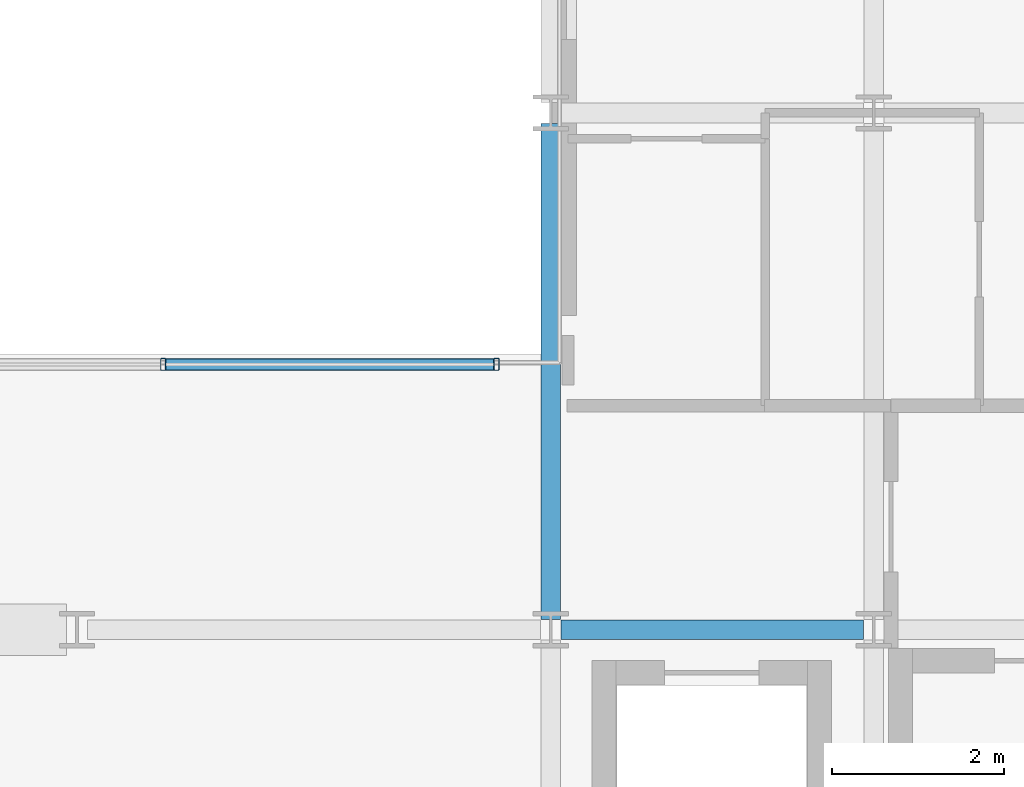
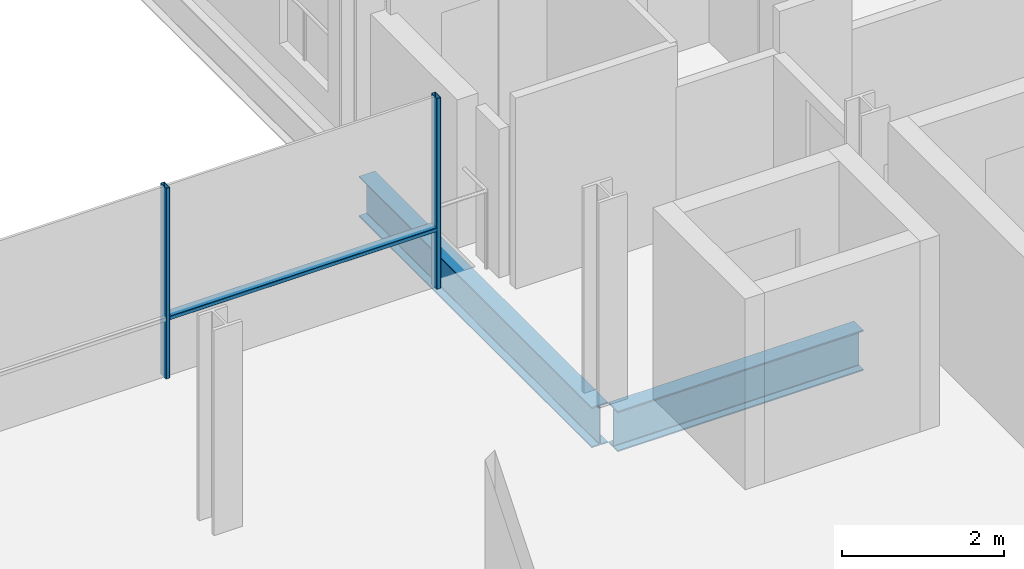
# One storey, part 13 of 39: 3 members, 2 beams, 1 element without a shape of its own.
"""IFC4 building model written with IfcOpenShell, lengths in metres."""

from ifc_helpers import new_model, si_unit, direction, frame, origin, origin_2d, place, context, subcontext, project, spatial, hollow_rectangle, i_section, extrude, material, layer, layer_set, material_profile, profile_set, type_object, element, aggregate, save


model = new_model("IFC4")

# Units and contexts
model_context = context("Model", 3, precision=1e-05, world=origin(), true_north=direction((0.0, 1.0)))
body_context = subcontext(model_context, "Body", "Model", "MODEL_VIEW")
ifc_project = project(units=[si_unit("LENGTHUNIT", "METRE"), si_unit("AREAUNIT", "SQUARE_METRE"), si_unit("VOLUMEUNIT", "CUBIC_METRE"), si_unit("PLANEANGLEUNIT", "RADIAN"), si_unit("MASSUNIT", "GRAM", prefix="KILO")], contexts=[model_context])

# Site, building, storey
site_placement = place(None, origin())
site = spatial("IfcSite", under=ifc_project, at=site_placement, CompositionType="ELEMENT")
building_placement = place(site_placement, origin())
building = spatial("IfcBuilding", under=site, at=building_placement, Name="Brevholm Reach", CompositionType="ELEMENT")
storey_placement = place(building_placement, frame((0.0, 0.0, 103.5)))
storey = spatial("IfcBuildingStorey", under=building, at=storey_placement, Name="L30", CompositionType="ELEMENT", Elevation=103.5)

# Beams
ifc_material_1 = material(Name="Structural Steel S355J2", Category="steel")
ifc_material_profile_1 = material_profile(ifc_material_1, i_section(OverallWidth=0.22900390625, OverallDepth=0.6123046875, WebThickness=0.011962890625, FlangeThickness=0.01953125, FilletRadius=0.0126953125, at=origin_2d()), Name="UKB 610x229x125")
ifc_profile_set_1 = profile_set([ifc_material_profile_1], Name="Structural Steel S355J2")
beam_type = type_object("IfcBeamType", Name="BM-SP610", PredefinedType="SPANDREL", material=ifc_profile_set_1)
beam_1_placement = place(storey_placement, frame((38.3701171875, 10.0, -0.526123046875), z_axis=(1.0, 0.0, 0.0), x_axis=(0.0, 1.0, 0.0)))
element("IfcBeam", 1, at=beam_1_placement, inside=storey, type_object=beam_type, Name="L30 SP-01 Framing Beam", PredefinedType="SPANDREL", context=body_context, shape_type="SweptSolid", body=[
    extrude(i_section(OverallWidth=0.22900390625, OverallDepth=0.6123046875, WebThickness=0.011962890625, FlangeThickness=0.01953125, FilletRadius=0.0126953125, at=origin_2d()), origin(), (0.0, 0.0, 1.0), 3.509765625),
])
beam_2_placement = place(storey_placement, frame((38.25, 10.1201171875, -0.526123046875), z_axis=(0.0, 1.0, 0.0), x_axis=(-1.0, 0.0, 0.0)))
element("IfcBeam", 2, at=beam_2_placement, inside=storey, type_object=beam_type, Name="L30 SP-01 Framing Beam", PredefinedType="SPANDREL", context=body_context, shape_type="SweptSolid", body=[
    extrude(i_section(OverallWidth=0.22900390625, OverallDepth=0.6123046875, WebThickness=0.011962890625, FlangeThickness=0.01953125, FilletRadius=0.0126953125, at=origin_2d()), origin(), (0.0, 0.0, 1.0), 5.759765625),
])

# Curtain wall, members
ifc_material_2 = material(Name="Dark Anodised Aluminium 6063-T6 and Solar-Control Glass", Category="aluminium")
ifc_layer = layer(ifc_material_2, 0.139892578125)
ifc_layer_set = layer_set([ifc_layer], Name="Dark Anodised Aluminium 6063-T6 and Solar-Control Glass")
curtain_wall_type = type_object("IfcCurtainWallType", Name="CW-02", PredefinedType="NOTDEFINED", material=ifc_layer_set)
curtain_wall_placement = place(storey_placement, origin())
curtain_wall = element("IfcCurtainWall", 3, at=curtain_wall_placement, inside=storey, type_object=curtain_wall_type, Name="L30 Curtain Wall CW-02", PredefinedType="NOTDEFINED")
ifc_material_3 = material(Name="Dark Anodised Aluminium 6063-T6", Category="aluminium")
ifc_material_profile_2 = material_profile(ifc_material_3, hollow_rectangle(XDim=0.06005859375, YDim=0.139892578125, WallThickness=0.0048828125, InnerFilletRadius=0.0048828125, OuterFilletRadius=0.010009765625, at=origin_2d()), Name="RHS 140x60x5")
ifc_profile_set_2 = profile_set([ifc_material_profile_2], Name="Dark Anodised Aluminium 6063-T6")
member_type_1 = type_object("IfcMemberType", Name="CWM-140", PredefinedType="MULLION", material=ifc_profile_set_2)
member_1_placement = place(storey_placement, frame((33.75, 13.080078125, 0.0), z_axis=(0.0, 0.0, 1.0), x_axis=(1.0, 0.0, 0.0)))
member_1 = element("IfcMember", 4, at=member_1_placement, type_object=member_type_1, Name="CM-140 Mullion 4", PredefinedType="MULLION", context=body_context, shape_type="SweptSolid", body=[
    extrude(hollow_rectangle(XDim=0.06005859375, YDim=0.139892578125, WallThickness=0.0048828125, InnerFilletRadius=0.0048828125, OuterFilletRadius=0.010009765625, at=origin_2d()), origin(), (0.0, 0.0, 1.0), 2.8798828125),
])
member_2_placement = place(storey_placement, frame((37.6201171875, 13.080078125, 0.0), z_axis=(0.0, 0.0, 1.0), x_axis=(1.0, 0.0, 0.0)))
member_2 = element("IfcMember", 5, at=member_2_placement, type_object=member_type_1, Name="CM-140 Mullion 5", PredefinedType="MULLION", context=body_context, shape_type="SweptSolid", body=[
    extrude(hollow_rectangle(XDim=0.06005859375, YDim=0.139892578125, WallThickness=0.0048828125, InnerFilletRadius=0.0048828125, OuterFilletRadius=0.010009765625, at=origin_2d()), origin(), (0.0, 0.0, 1.0), 2.8798828125),
])
ifc_material_4 = material(Name="Dark Anodised Aluminium 6063-T6", Category="aluminium")
ifc_material_profile_3 = material_profile(ifc_material_4, hollow_rectangle(XDim=0.06005859375, YDim=0.139892578125, WallThickness=0.0048828125, InnerFilletRadius=0.0048828125, OuterFilletRadius=0.010009765625, at=origin_2d()), Name="RHS 140x60x5")
ifc_profile_set_3 = profile_set([ifc_material_profile_3], Name="Dark Anodised Aluminium 6063-T6")
member_type_2 = type_object("IfcMemberType", Name="CWT-140", PredefinedType="NOTDEFINED", material=ifc_profile_set_3)
member_3_placement = place(storey_placement, frame((33.780029296875, 13.080078125, 0.89990234375), z_axis=(1.0, 0.0, 0.0), x_axis=(0.0, 0.0, 1.0)))
member_3 = element("IfcMember", 6, at=member_3_placement, type_object=member_type_2, Name="CT-140 Transom 4.1", ObjectType="TRANSOM", PredefinedType="USERDEFINED", context=body_context, shape_type="SweptSolid", body=[
    extrude(hollow_rectangle(XDim=0.06005859375, YDim=0.139892578125, WallThickness=0.0048828125, InnerFilletRadius=0.0048828125, OuterFilletRadius=0.010009765625, at=origin_2d()), origin(), (0.0, 0.0, 1.0), 3.81005859375),
])
aggregate(curtain_wall, [member_1, member_2, member_3])

save(model, "model.ifc")
